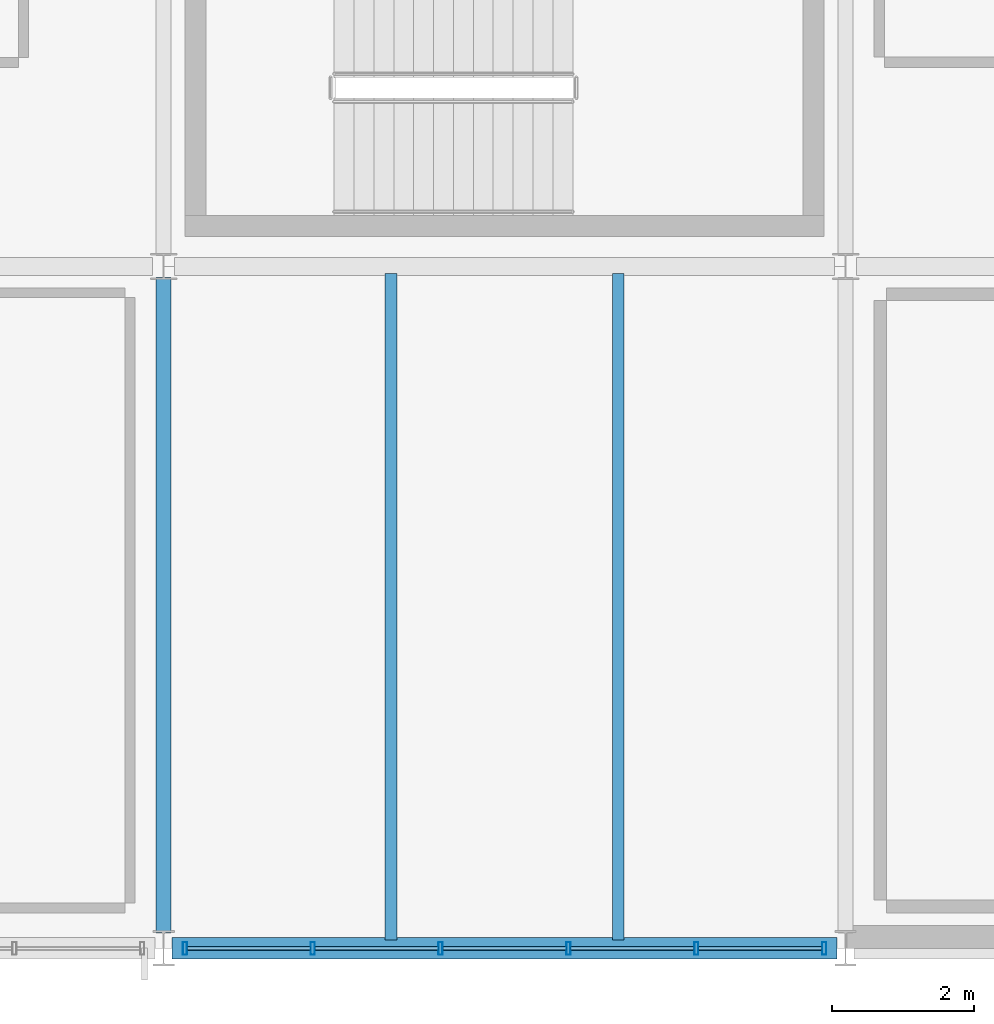
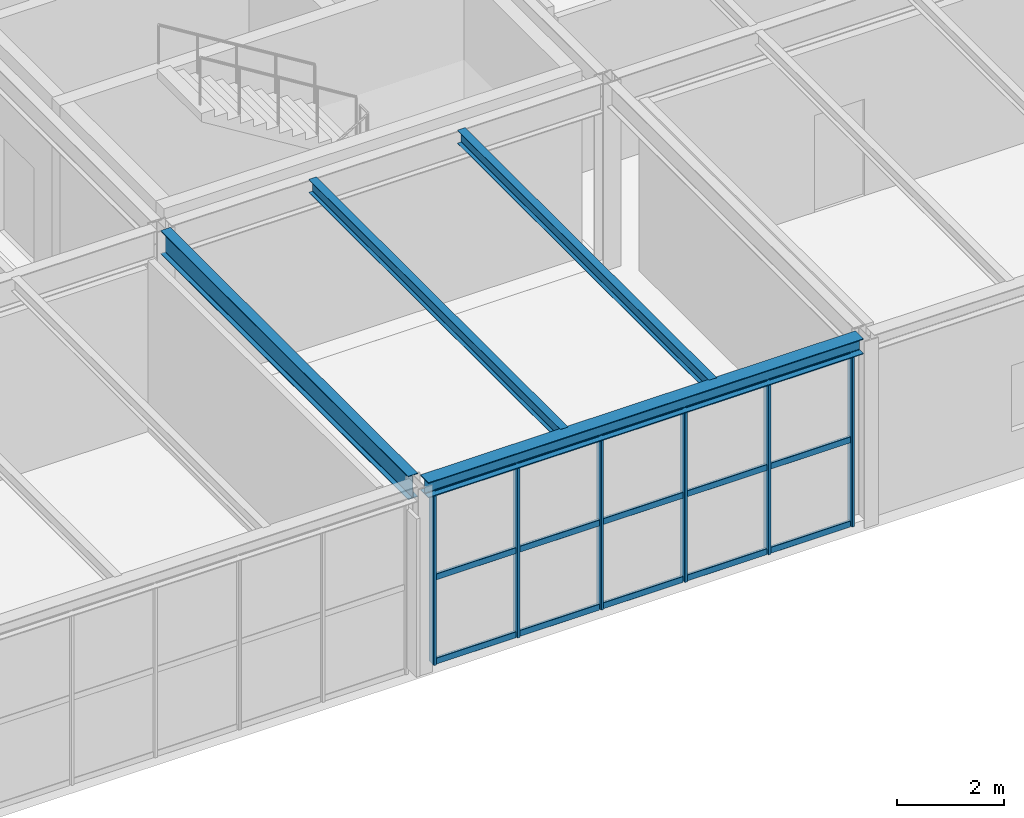
# One storey, part 32 of 170: 21 members, 4 beams, 1 element without a shape of its own.
"""IFC4 building model written with IfcOpenShell, lengths in metres."""

from ifc_helpers import new_model, si_unit, direction, frame, origin, origin_2d, place, context, subcontext, project, spatial, hollow_rectangle, i_section, extrude, material, material_profile, profile_set, type_object, element, aggregate, save


model = new_model("IFC4")

# Units and contexts
model_context = context("Model", 3, precision=1e-05, world=origin(), true_north=direction((0.0, 1.0)))
body_context = subcontext(model_context, "Body", "Model", "MODEL_VIEW")
ifc_project = project(units=[si_unit("LENGTHUNIT", "METRE"), si_unit("AREAUNIT", "SQUARE_METRE"), si_unit("VOLUMEUNIT", "CUBIC_METRE"), si_unit("PLANEANGLEUNIT", "RADIAN"), si_unit("MASSUNIT", "GRAM", prefix="KILO")], contexts=[model_context])

# Site, building, storey
site_placement = place(None, origin())
site = spatial("IfcSite", under=ifc_project, at=site_placement, CompositionType="ELEMENT")
building_placement = place(site_placement, origin())
building = spatial("IfcBuilding", under=site, at=building_placement, Name="Coralgate Yard Interchange", CompositionType="ELEMENT")
storey_placement = place(building_placement, frame((0.0, 0.0, 6.0)))
storey = spatial("IfcBuildingStorey", under=building, at=storey_placement, Name="L01", CompositionType="ELEMENT", Elevation=6.0)

# Beams
ifc_material_1 = material(Name="Structural steel S355J2", Category="steel")
ifc_material_profile_1 = material_profile(ifc_material_1, i_section(OverallWidth=0.209228515625, OverallDepth=0.533203125, WebThickness=0.010009765625, FlangeThickness=0.015625, FilletRadius=0.0126953125, at=origin_2d()), Name="UB 533x210x92")
ifc_profile_set_1 = profile_set([ifc_material_profile_1], Name="Structural steel S355J2")
beam_type_1 = type_object("IfcBeamType", Name="BM-SB-1", PredefinedType="BEAM", material=ifc_profile_set_1)
beam_1_placement = place(storey_placement, frame((48.0, 0.219970703125, 3.9833984375), z_axis=(0.0, 1.0, 0.0), x_axis=(-1.0, 0.0, 0.0)))
element("IfcBeam", 1, at=beam_1_placement, inside=storey, type_object=beam_type_1, Name="L01 primary grid girder X5 Y0-1", PredefinedType="BEAM", context=body_context, shape_type="SweptSolid", body=[
    extrude(i_section(OverallWidth=0.209228515625, OverallDepth=0.533203125, WebThickness=0.010009765625, FlangeThickness=0.015625, FilletRadius=0.0126953125, at=origin_2d()), origin(), (0.0, 0.0, 1.0), 9.225830078125),
])
ifc_material_profile_2 = material_profile(ifc_material_1, i_section(OverallWidth=0.1650390625, OverallDepth=0.303466796875, WebThickness=0.006103515625, FlangeThickness=0.01025390625, FilletRadius=0.0087890625, at=origin_2d()), Name="UB 305x165x40")
ifc_profile_set_2 = profile_set([ifc_material_profile_2], Name="Structural steel S355J2")
beam_type_2 = type_object("IfcBeamType", Name="BM-SJ-1", PredefinedType="JOIST", material=ifc_profile_set_2)
for number, where, z_axis, x_axis, name in (
    (2, (51.199951171875, 0.1201171875, 4.098388671875), (0.0, 1.0, 0.0), (-1.0, 0.0, 0.0), "L01 composite floor joist 5-0-1"),
    (3, (54.39990234375, 0.1201171875, 4.098388671875), (0.0, 1.0, 0.0), (-1.0, 0.0, 0.0), "L01 composite floor joist 5-0-2"),
):
    element("IfcBeam", number, at=place(storey_placement, frame(where, z_axis=z_axis, x_axis=x_axis)), inside=storey, type_object=beam_type_2, Name=name, PredefinedType="JOIST", context=body_context, shape_type="SweptSolid", body=[
        extrude(i_section(OverallWidth=0.1650390625, OverallDepth=0.303466796875, WebThickness=0.006103515625, FlangeThickness=0.01025390625, FilletRadius=0.0087890625, at=origin_2d()), origin(), (0.0, 0.0, 1.0), 9.383056640625),
    ])
ifc_material_profile_3 = material_profile(ifc_material_1, i_section(OverallWidth=0.300048828125, OverallDepth=0.35009765625, WebThickness=0.010009765625, FlangeThickness=0.017578125, FilletRadius=0.027099609375, at=origin_2d()), Name="HEA 360")
ifc_profile_set_3 = profile_set([ifc_material_profile_3], Name="Structural steel S355J2")
beam_type_3 = type_object("IfcBeamType", Name="BM-SP-1", PredefinedType="SPANDREL", material=ifc_profile_set_3)
beam_2_placement = place(storey_placement, frame((48.1201171875, 0.0, 4.074951171875), z_axis=(1.0, 0.0, 0.0), x_axis=(0.0, 1.0, 0.0)))
element("IfcBeam", 4, at=beam_2_placement, inside=storey, type_object=beam_type_3, Name="L01 primary grid beam Y0 X5-6", PredefinedType="SPANDREL", context=body_context, shape_type="SweptSolid", body=[
    extrude(i_section(OverallWidth=0.300048828125, OverallDepth=0.35009765625, WebThickness=0.010009765625, FlangeThickness=0.017578125, FilletRadius=0.027099609375, at=origin_2d()), origin(), (0.0, 0.0, 1.0), 9.35986328125),
])

# Curtain wall, members
ifc_material_2 = material(Name="Anodised coastal aluminium and solar-control low-E glass", Category="aluminium")
curtain_wall_type = type_object("IfcCurtainWallType", Name="CW-CW-L01-A", PredefinedType="NOTDEFINED", material=ifc_material_2)
curtain_wall_placement = place(storey_placement, origin())
curtain_wall = element("IfcCurtainWall", 5, at=curtain_wall_placement, inside=storey, type_object=curtain_wall_type, Name="L01 unitised curtain wall CW-L01-S-05-00", PredefinedType="NOTDEFINED")
ifc_material_3 = material(Name="Anodised coastal aluminium 6063-T6", Category="aluminium")
ifc_material_profile_4 = material_profile(ifc_material_3, hollow_rectangle(XDim=0.06005859375, YDim=0.179931640625, WallThickness=0.00390625, InnerFilletRadius=0.00390625, OuterFilletRadius=0.008056640625, at=origin_2d()), Name="ALU 60x180x4")
ifc_profile_set_4 = profile_set([ifc_material_profile_4], Name="Anodised coastal aluminium 6063-T6")
member_type_1 = type_object("IfcMemberType", Name="MB-MUL-180", PredefinedType="MULLION", material=ifc_profile_set_4)
member_1_placement = place(storey_placement, frame((57.300048828125, 0.0, 0.0), z_axis=(0.0, 0.0, 1.0), x_axis=(1.0, 0.0, 0.0)))
member_1 = element("IfcMember", 6, at=member_1_placement, type_object=member_type_1, Name="CW-L01-S-05-00 vertical mullion 1", PredefinedType="MULLION", context=body_context, shape_type="SweptSolid", body=[
    extrude(hollow_rectangle(XDim=0.06005859375, YDim=0.179931640625, WallThickness=0.00390625, InnerFilletRadius=0.00390625, OuterFilletRadius=0.008056640625, at=origin_2d()), origin(), (0.0, 0.0, 1.0), 3.89990234375),
])
member_2_placement = place(storey_placement, frame((55.5, 0.0, 0.0), z_axis=(0.0, 0.0, 1.0), x_axis=(1.0, 0.0, 0.0)))
member_2 = element("IfcMember", 7, at=member_2_placement, type_object=member_type_1, Name="CW-L01-S-05-00 vertical mullion 2", PredefinedType="MULLION", context=body_context, shape_type="SweptSolid", body=[
    extrude(hollow_rectangle(XDim=0.06005859375, YDim=0.179931640625, WallThickness=0.00390625, InnerFilletRadius=0.00390625, OuterFilletRadius=0.008056640625, at=origin_2d()), origin(), (0.0, 0.0, 1.0), 3.89990234375),
])
member_3_placement = place(storey_placement, frame((53.699951171875, 0.0, 0.0), z_axis=(0.0, 0.0, 1.0), x_axis=(1.0, 0.0, 0.0)))
member_3 = element("IfcMember", 8, at=member_3_placement, type_object=member_type_1, Name="CW-L01-S-05-00 vertical mullion 3", PredefinedType="MULLION", context=body_context, shape_type="SweptSolid", body=[
    extrude(hollow_rectangle(XDim=0.06005859375, YDim=0.179931640625, WallThickness=0.00390625, InnerFilletRadius=0.00390625, OuterFilletRadius=0.008056640625, at=origin_2d()), origin(), (0.0, 0.0, 1.0), 3.89990234375),
])
member_4_placement = place(storey_placement, frame((51.89990234375, 0.0, 0.0), z_axis=(0.0, 0.0, 1.0), x_axis=(1.0, 0.0, 0.0)))
member_4 = element("IfcMember", 9, at=member_4_placement, type_object=member_type_1, Name="CW-L01-S-05-00 vertical mullion 4", PredefinedType="MULLION", context=body_context, shape_type="SweptSolid", body=[
    extrude(hollow_rectangle(XDim=0.06005859375, YDim=0.179931640625, WallThickness=0.00390625, InnerFilletRadius=0.00390625, OuterFilletRadius=0.008056640625, at=origin_2d()), origin(), (0.0, 0.0, 1.0), 3.89990234375),
])
member_5_placement = place(storey_placement, frame((50.10009765625, 0.0, 0.0), z_axis=(0.0, 0.0, 1.0), x_axis=(1.0, 0.0, 0.0)))
member_5 = element("IfcMember", 10, at=member_5_placement, type_object=member_type_1, Name="CW-L01-S-05-00 vertical mullion 5", PredefinedType="MULLION", context=body_context, shape_type="SweptSolid", body=[
    extrude(hollow_rectangle(XDim=0.06005859375, YDim=0.179931640625, WallThickness=0.00390625, InnerFilletRadius=0.00390625, OuterFilletRadius=0.008056640625, at=origin_2d()), origin(), (0.0, 0.0, 1.0), 3.89990234375),
])
member_6_placement = place(storey_placement, frame((48.300048828125, 0.0, 0.0), z_axis=(0.0, 0.0, 1.0), x_axis=(1.0, 0.0, 0.0)))
member_6 = element("IfcMember", 11, at=member_6_placement, type_object=member_type_1, Name="CW-L01-S-05-00 vertical mullion 6", PredefinedType="MULLION", context=body_context, shape_type="SweptSolid", body=[
    extrude(hollow_rectangle(XDim=0.06005859375, YDim=0.179931640625, WallThickness=0.00390625, InnerFilletRadius=0.00390625, OuterFilletRadius=0.008056640625, at=origin_2d()), origin(), (0.0, 0.0, 1.0), 3.89990234375),
])
ifc_material_profile_5 = material_profile(ifc_material_3, hollow_rectangle(XDim=0.06005859375, YDim=0.139892578125, WallThickness=0.00341796875, InnerFilletRadius=0.00341796875, OuterFilletRadius=0.007080078125, at=origin_2d()), Name="ALU 60x140x3.5")
ifc_profile_set_5 = profile_set([ifc_material_profile_5], Name="Anodised coastal aluminium 6063-T6")
member_type_2 = type_object("IfcMemberType", Name="MB-TRN-140", PredefinedType="USERDEFINED", material=ifc_profile_set_5)
member_7_placement = place(storey_placement, frame((57.27001953125, 0.0, 0.034912109375), z_axis=(-1.0, 0.0, 0.0), x_axis=(0.0, -1.0, 0.0)))
member_7 = element("IfcMember", 12, at=member_7_placement, type_object=member_type_2, Name="CW-L01-S-05-00 horizontal transom 1-1", ObjectType="TRANSOM", PredefinedType="USERDEFINED", context=body_context, shape_type="SweptSolid", body=[
    extrude(hollow_rectangle(XDim=0.06005859375, YDim=0.139892578125, WallThickness=0.00341796875, InnerFilletRadius=0.00341796875, OuterFilletRadius=0.007080078125, at=origin_2d()), origin(), (0.0, 0.0, 1.0), 1.739990234375),
])
member_8_placement = place(storey_placement, frame((57.27001953125, 0.0, 1.949951171875), z_axis=(-1.0, 0.0, 0.0), x_axis=(0.0, -1.0, 0.0)))
member_8 = element("IfcMember", 13, at=member_8_placement, type_object=member_type_2, Name="CW-L01-S-05-00 horizontal transom 1-2", ObjectType="TRANSOM", PredefinedType="USERDEFINED", context=body_context, shape_type="SweptSolid", body=[
    extrude(hollow_rectangle(XDim=0.06005859375, YDim=0.139892578125, WallThickness=0.00341796875, InnerFilletRadius=0.00341796875, OuterFilletRadius=0.007080078125, at=origin_2d()), origin(), (0.0, 0.0, 1.0), 1.739990234375),
])
member_9_placement = place(storey_placement, frame((57.27001953125, 0.0, 3.864990234375), z_axis=(-1.0, 0.0, 0.0), x_axis=(0.0, -1.0, 0.0)))
member_9 = element("IfcMember", 14, at=member_9_placement, type_object=member_type_2, Name="CW-L01-S-05-00 horizontal transom 1-3", ObjectType="TRANSOM", PredefinedType="USERDEFINED", context=body_context, shape_type="SweptSolid", body=[
    extrude(hollow_rectangle(XDim=0.06005859375, YDim=0.139892578125, WallThickness=0.00341796875, InnerFilletRadius=0.00341796875, OuterFilletRadius=0.007080078125, at=origin_2d()), origin(), (0.0, 0.0, 1.0), 1.739990234375),
])
member_10_placement = place(storey_placement, frame((55.469970703125, 0.0, 0.034912109375), z_axis=(-1.0, 0.0, 0.0), x_axis=(0.0, -1.0, 0.0)))
member_10 = element("IfcMember", 15, at=member_10_placement, type_object=member_type_2, Name="CW-L01-S-05-00 horizontal transom 2-1", ObjectType="TRANSOM", PredefinedType="USERDEFINED", context=body_context, shape_type="SweptSolid", body=[
    extrude(hollow_rectangle(XDim=0.06005859375, YDim=0.139892578125, WallThickness=0.00341796875, InnerFilletRadius=0.00341796875, OuterFilletRadius=0.007080078125, at=origin_2d()), origin(), (0.0, 0.0, 1.0), 1.739990234375),
])
member_11_placement = place(storey_placement, frame((55.469970703125, 0.0, 1.949951171875), z_axis=(-1.0, 0.0, 0.0), x_axis=(0.0, -1.0, 0.0)))
member_11 = element("IfcMember", 16, at=member_11_placement, type_object=member_type_2, Name="CW-L01-S-05-00 horizontal transom 2-2", ObjectType="TRANSOM", PredefinedType="USERDEFINED", context=body_context, shape_type="SweptSolid", body=[
    extrude(hollow_rectangle(XDim=0.06005859375, YDim=0.139892578125, WallThickness=0.00341796875, InnerFilletRadius=0.00341796875, OuterFilletRadius=0.007080078125, at=origin_2d()), origin(), (0.0, 0.0, 1.0), 1.739990234375),
])
member_12_placement = place(storey_placement, frame((55.469970703125, 0.0, 3.864990234375), z_axis=(-1.0, 0.0, 0.0), x_axis=(0.0, -1.0, 0.0)))
member_12 = element("IfcMember", 17, at=member_12_placement, type_object=member_type_2, Name="CW-L01-S-05-00 horizontal transom 2-3", ObjectType="TRANSOM", PredefinedType="USERDEFINED", context=body_context, shape_type="SweptSolid", body=[
    extrude(hollow_rectangle(XDim=0.06005859375, YDim=0.139892578125, WallThickness=0.00341796875, InnerFilletRadius=0.00341796875, OuterFilletRadius=0.007080078125, at=origin_2d()), origin(), (0.0, 0.0, 1.0), 1.739990234375),
])
member_13_placement = place(storey_placement, frame((53.669921875, 0.0, 0.034912109375), z_axis=(-1.0, 0.0, 0.0), x_axis=(0.0, -1.0, 0.0)))
member_13 = element("IfcMember", 18, at=member_13_placement, type_object=member_type_2, Name="CW-L01-S-05-00 horizontal transom 3-1", ObjectType="TRANSOM", PredefinedType="USERDEFINED", context=body_context, shape_type="SweptSolid", body=[
    extrude(hollow_rectangle(XDim=0.06005859375, YDim=0.139892578125, WallThickness=0.00341796875, InnerFilletRadius=0.00341796875, OuterFilletRadius=0.007080078125, at=origin_2d()), origin(), (0.0, 0.0, 1.0), 1.739990234375),
])
member_14_placement = place(storey_placement, frame((53.669921875, 0.0, 1.949951171875), z_axis=(-1.0, 0.0, 0.0), x_axis=(0.0, -1.0, 0.0)))
member_14 = element("IfcMember", 19, at=member_14_placement, type_object=member_type_2, Name="CW-L01-S-05-00 horizontal transom 3-2", ObjectType="TRANSOM", PredefinedType="USERDEFINED", context=body_context, shape_type="SweptSolid", body=[
    extrude(hollow_rectangle(XDim=0.06005859375, YDim=0.139892578125, WallThickness=0.00341796875, InnerFilletRadius=0.00341796875, OuterFilletRadius=0.007080078125, at=origin_2d()), origin(), (0.0, 0.0, 1.0), 1.739990234375),
])
member_15_placement = place(storey_placement, frame((53.669921875, 0.0, 3.864990234375), z_axis=(-1.0, 0.0, 0.0), x_axis=(0.0, -1.0, 0.0)))
member_15 = element("IfcMember", 20, at=member_15_placement, type_object=member_type_2, Name="CW-L01-S-05-00 horizontal transom 3-3", ObjectType="TRANSOM", PredefinedType="USERDEFINED", context=body_context, shape_type="SweptSolid", body=[
    extrude(hollow_rectangle(XDim=0.06005859375, YDim=0.139892578125, WallThickness=0.00341796875, InnerFilletRadius=0.00341796875, OuterFilletRadius=0.007080078125, at=origin_2d()), origin(), (0.0, 0.0, 1.0), 1.739990234375),
])
member_16_placement = place(storey_placement, frame((51.8701171875, 0.0, 0.034912109375), z_axis=(-1.0, 0.0, 0.0), x_axis=(0.0, -1.0, 0.0)))
member_16 = element("IfcMember", 21, at=member_16_placement, type_object=member_type_2, Name="CW-L01-S-05-00 horizontal transom 4-1", ObjectType="TRANSOM", PredefinedType="USERDEFINED", context=body_context, shape_type="SweptSolid", body=[
    extrude(hollow_rectangle(XDim=0.06005859375, YDim=0.139892578125, WallThickness=0.00341796875, InnerFilletRadius=0.00341796875, OuterFilletRadius=0.007080078125, at=origin_2d()), origin(), (0.0, 0.0, 1.0), 1.740234375),
])
member_17_placement = place(storey_placement, frame((51.8701171875, 0.0, 1.949951171875), z_axis=(-1.0, 0.0, 0.0), x_axis=(0.0, -1.0, 0.0)))
member_17 = element("IfcMember", 22, at=member_17_placement, type_object=member_type_2, Name="CW-L01-S-05-00 horizontal transom 4-2", ObjectType="TRANSOM", PredefinedType="USERDEFINED", context=body_context, shape_type="SweptSolid", body=[
    extrude(hollow_rectangle(XDim=0.06005859375, YDim=0.139892578125, WallThickness=0.00341796875, InnerFilletRadius=0.00341796875, OuterFilletRadius=0.007080078125, at=origin_2d()), origin(), (0.0, 0.0, 1.0), 1.740234375),
])
member_18_placement = place(storey_placement, frame((51.8701171875, 0.0, 3.864990234375), z_axis=(-1.0, 0.0, 0.0), x_axis=(0.0, -1.0, 0.0)))
member_18 = element("IfcMember", 23, at=member_18_placement, type_object=member_type_2, Name="CW-L01-S-05-00 horizontal transom 4-3", ObjectType="TRANSOM", PredefinedType="USERDEFINED", context=body_context, shape_type="SweptSolid", body=[
    extrude(hollow_rectangle(XDim=0.06005859375, YDim=0.139892578125, WallThickness=0.00341796875, InnerFilletRadius=0.00341796875, OuterFilletRadius=0.007080078125, at=origin_2d()), origin(), (0.0, 0.0, 1.0), 1.740234375),
])
member_19_placement = place(storey_placement, frame((50.070068359375, 0.0, 0.034912109375), z_axis=(-1.0, 0.0, 0.0), x_axis=(0.0, -1.0, 0.0)))
member_19 = element("IfcMember", 24, at=member_19_placement, type_object=member_type_2, Name="CW-L01-S-05-00 horizontal transom 5-1", ObjectType="TRANSOM", PredefinedType="USERDEFINED", context=body_context, shape_type="SweptSolid", body=[
    extrude(hollow_rectangle(XDim=0.06005859375, YDim=0.139892578125, WallThickness=0.00341796875, InnerFilletRadius=0.00341796875, OuterFilletRadius=0.007080078125, at=origin_2d()), origin(), (0.0, 0.0, 1.0), 1.739990234375),
])
member_20_placement = place(storey_placement, frame((50.070068359375, 0.0, 1.949951171875), z_axis=(-1.0, 0.0, 0.0), x_axis=(0.0, -1.0, 0.0)))
member_20 = element("IfcMember", 25, at=member_20_placement, type_object=member_type_2, Name="CW-L01-S-05-00 horizontal transom 5-2", ObjectType="TRANSOM", PredefinedType="USERDEFINED", context=body_context, shape_type="SweptSolid", body=[
    extrude(hollow_rectangle(XDim=0.06005859375, YDim=0.139892578125, WallThickness=0.00341796875, InnerFilletRadius=0.00341796875, OuterFilletRadius=0.007080078125, at=origin_2d()), origin(), (0.0, 0.0, 1.0), 1.739990234375),
])
member_21_placement = place(storey_placement, frame((50.070068359375, 0.0, 3.864990234375), z_axis=(-1.0, 0.0, 0.0), x_axis=(0.0, -1.0, 0.0)))
member_21 = element("IfcMember", 26, at=member_21_placement, type_object=member_type_2, Name="CW-L01-S-05-00 horizontal transom 5-3", ObjectType="TRANSOM", PredefinedType="USERDEFINED", context=body_context, shape_type="SweptSolid", body=[
    extrude(hollow_rectangle(XDim=0.06005859375, YDim=0.139892578125, WallThickness=0.00341796875, InnerFilletRadius=0.00341796875, OuterFilletRadius=0.007080078125, at=origin_2d()), origin(), (0.0, 0.0, 1.0), 1.739990234375),
])
aggregate(curtain_wall, [member_1, member_2, member_3, member_4, member_5, member_6, member_7, member_8, member_9, member_10, member_11, member_12, member_13, member_14, member_15, member_16, member_17, member_18, member_19, member_20, member_21])

save(model, "model.ifc")
